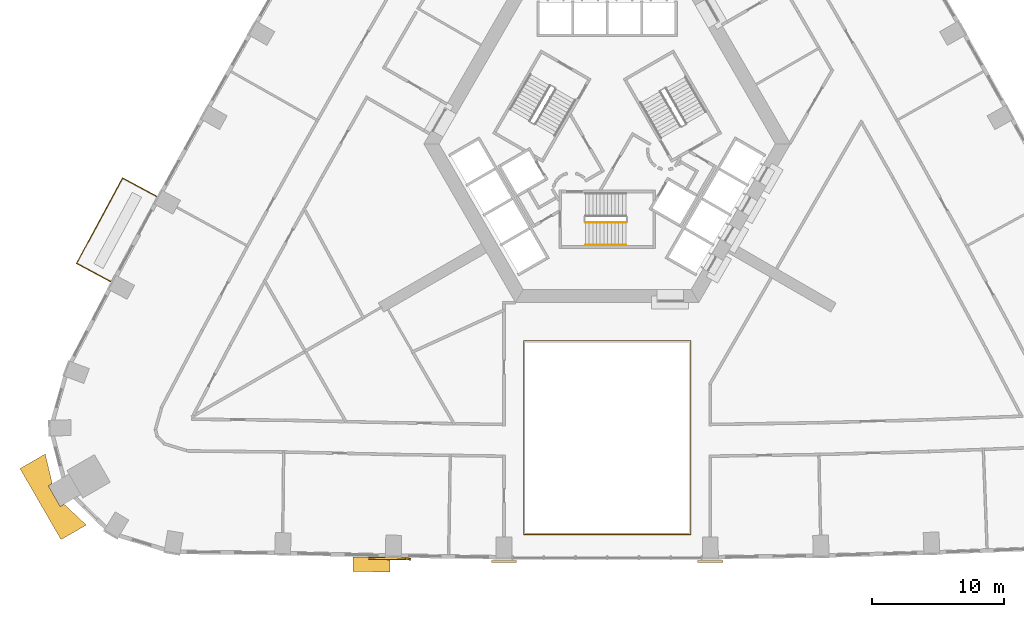
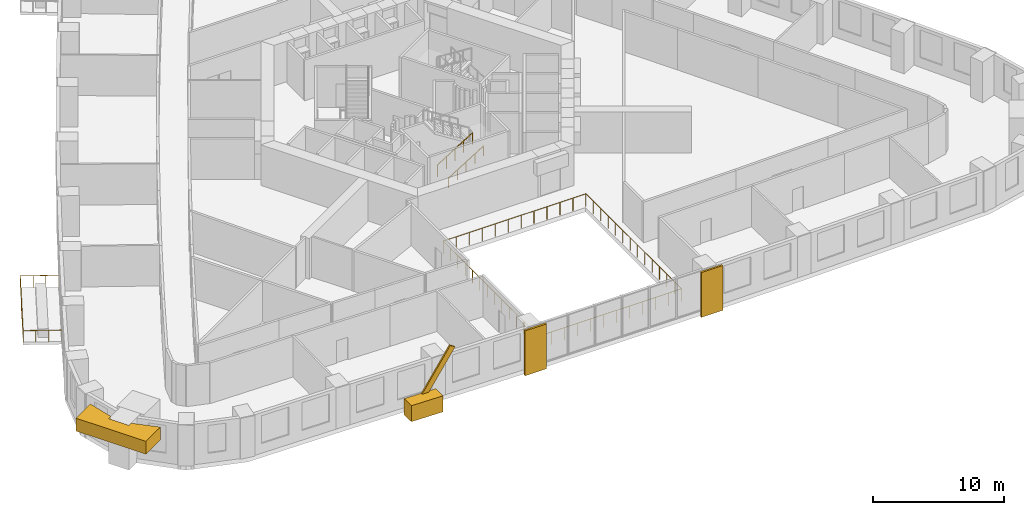
# One storey, part 13 of 15: 4 coverings, 4 railings, 1 shading device.
"""IFC4 building model written with IfcOpenShell, lengths in metres."""

from ifc_helpers import new_model, si_unit, direction, frame, origin, origin_2d, place, context, subcontext, project, spatial, polyline, rectangle, circle, outline, extrude, material, material_profile, profile_set, type_object, element, save


model = new_model("IFC4")

# Units and contexts
model_context = context("Model", 3, precision=1e-05, world=origin(), true_north=direction((0.0, 1.0)))
body_context = subcontext(model_context, "Body", "Model", "MODEL_VIEW")
ifc_project = project(units=[si_unit("LENGTHUNIT", "METRE"), si_unit("AREAUNIT", "SQUARE_METRE"), si_unit("VOLUMEUNIT", "CUBIC_METRE"), si_unit("PLANEANGLEUNIT", "RADIAN"), si_unit("MASSUNIT", "GRAM", prefix="KILO")], contexts=[model_context])

# Site, building, storey
site_placement = place(None, origin())
site = spatial("IfcSite", under=ifc_project, at=site_placement, CompositionType="ELEMENT")
building_placement = place(site_placement, origin())
building = spatial("IfcBuilding", under=site, at=building_placement, Name="Entoto Arch Interchange Tower", CompositionType="ELEMENT")
storey_placement = place(building_placement, frame((0.0, 0.0, 56.0)))
storey = spatial("IfcBuildingStorey", under=building, at=storey_placement, Name="L11", CompositionType="ELEMENT", Elevation=56.0)

# Railing
ifc_material_1 = material(Name="Stainless steel 1.4301", Category="steel")
railing_type_1 = type_object("IfcRailingType", Name="ATRIUM GUARD 1200 STEEL AND GLASS", PredefinedType="GUARDRAIL", material=ifc_material_1)
railing_1_placement = place(storey_placement, frame((6.320068359375, -27.030029296875, 0.0)))
element("IfcRailing", 1, at=railing_1_placement, inside=storey, type_object=railing_type_1, Name="Atrium guard L11", PredefinedType="GUARDRAIL", context=body_context, shape_type="SweptSolid", body=[
    extrude(circle(Radius=0.02392578125, at=origin_2d()), frame((0.0, 0.0, 1.17578125), z_axis=(-1.0, 0.0, 0.0), x_axis=(0.0, -1.0, 0.0)), (0.0, 0.0, 1.0), 12.64013671875),
    extrude(circle(Radius=0.02392578125, at=origin_2d()), frame((-12.64013671875, 0.0, 1.17578125), z_axis=(0.0, 1.0, 0.0), x_axis=(-1.0, 0.0, 0.0)), (0.0, 0.0, 1.0), 14.650146484375),
    extrude(circle(Radius=0.02392578125, at=origin_2d()), frame((-12.64013671875, 14.650146484375, 1.17578125), z_axis=(1.0, 0.0, 0.0), x_axis=(0.0, 1.0, 0.0)), (0.0, 0.0, 1.0), 12.64013671875),
    extrude(circle(Radius=0.02392578125, at=origin_2d()), frame((0.0, 14.650146484375, 1.17578125), z_axis=(0.0, -1.0, 0.0), x_axis=(1.0, 0.0, 0.0)), (0.0, 0.0, 1.0), 14.650146484375),
    extrude(circle(Radius=0.02099609375, at=origin_2d()), origin(), (0.0, 0.0, 1.0), 1.15185546875),
    extrude(circle(Radius=0.02099609375, at=origin_2d()), frame((-1.149169921875, 0.0, 0.0)), (0.0, 0.0, 1.0), 1.15185546875),
    extrude(circle(Radius=0.02099609375, at=origin_2d()), frame((-2.298095703125, 0.0, 0.0)), (0.0, 0.0, 1.0), 1.15185546875),
    extrude(circle(Radius=0.02099609375, at=origin_2d()), frame((-3.447265625, 0.0, 0.0)), (0.0, 0.0, 1.0), 1.15185546875),
    extrude(circle(Radius=0.02099609375, at=origin_2d()), frame((-4.596435546875, 0.0, 0.0)), (0.0, 0.0, 1.0), 1.15185546875),
    extrude(circle(Radius=0.02099609375, at=origin_2d()), frame((-5.74560546875, 0.0, 0.0)), (0.0, 0.0, 1.0), 1.15185546875),
    extrude(circle(Radius=0.02099609375, at=origin_2d()), frame((-6.89453125, 0.0, 0.0)), (0.0, 0.0, 1.0), 1.15185546875),
    extrude(circle(Radius=0.02099609375, at=origin_2d()), frame((-8.043701171875, 0.0, 0.0)), (0.0, 0.0, 1.0), 1.15185546875),
    extrude(circle(Radius=0.02099609375, at=origin_2d()), frame((-9.19287109375, 0.0, 0.0)), (0.0, 0.0, 1.0), 1.15185546875),
    extrude(circle(Radius=0.02099609375, at=origin_2d()), frame((-10.342041015625, 0.0, 0.0)), (0.0, 0.0, 1.0), 1.15185546875),
    extrude(circle(Radius=0.02099609375, at=origin_2d()), frame((-11.490966796875, 0.0, 0.0)), (0.0, 0.0, 1.0), 1.15185546875),
    extrude(circle(Radius=0.02099609375, at=origin_2d()), frame((-12.64013671875, 0.0, 0.0)), (0.0, 0.0, 1.0), 1.15185546875),
    extrude(circle(Radius=0.02099609375, at=origin_2d()), frame((-12.64013671875, 1.126953125, 0.0)), (0.0, 0.0, 1.0), 1.15185546875),
    extrude(circle(Radius=0.02099609375, at=origin_2d()), frame((-12.64013671875, 2.25390625, 0.0)), (0.0, 0.0, 1.0), 1.15185546875),
    extrude(circle(Radius=0.02099609375, at=origin_2d()), frame((-12.64013671875, 3.380859375, 0.0)), (0.0, 0.0, 1.0), 1.15185546875),
    extrude(circle(Radius=0.02099609375, at=origin_2d()), frame((-12.64013671875, 4.5078125, 0.0)), (0.0, 0.0, 1.0), 1.15185546875),
    extrude(circle(Radius=0.02099609375, at=origin_2d()), frame((-12.64013671875, 5.634765625, 0.0)), (0.0, 0.0, 1.0), 1.15185546875),
    extrude(circle(Radius=0.02099609375, at=origin_2d()), frame((-12.64013671875, 6.76171875, 0.0)), (0.0, 0.0, 1.0), 1.15185546875),
    extrude(circle(Radius=0.02099609375, at=origin_2d()), frame((-12.64013671875, 7.888427734375, 0.0)), (0.0, 0.0, 1.0), 1.15185546875),
    extrude(circle(Radius=0.02099609375, at=origin_2d()), frame((-12.64013671875, 9.015380859375, 0.0)), (0.0, 0.0, 1.0), 1.15185546875),
    extrude(circle(Radius=0.02099609375, at=origin_2d()), frame((-12.64013671875, 10.142333984375, 0.0)), (0.0, 0.0, 1.0), 1.15185546875),
    extrude(circle(Radius=0.02099609375, at=origin_2d()), frame((-12.64013671875, 11.269287109375, 0.0)), (0.0, 0.0, 1.0), 1.15185546875),
    extrude(circle(Radius=0.02099609375, at=origin_2d()), frame((-12.64013671875, 12.396240234375, 0.0)), (0.0, 0.0, 1.0), 1.15185546875),
    extrude(circle(Radius=0.02099609375, at=origin_2d()), frame((-12.64013671875, 13.523193359375, 0.0)), (0.0, 0.0, 1.0), 1.15185546875),
    extrude(circle(Radius=0.02099609375, at=origin_2d()), frame((-12.64013671875, 14.650146484375, 0.0)), (0.0, 0.0, 1.0), 1.15185546875),
    extrude(circle(Radius=0.02099609375, at=origin_2d()), frame((-11.490966796875, 14.650146484375, 0.0)), (0.0, 0.0, 1.0), 1.15185546875),
    extrude(circle(Radius=0.02099609375, at=origin_2d()), frame((-10.342041015625, 14.650146484375, 0.0)), (0.0, 0.0, 1.0), 1.15185546875),
    extrude(circle(Radius=0.02099609375, at=origin_2d()), frame((-9.19287109375, 14.650146484375, 0.0)), (0.0, 0.0, 1.0), 1.15185546875),
    extrude(circle(Radius=0.02099609375, at=origin_2d()), frame((-8.043701171875, 14.650146484375, 0.0)), (0.0, 0.0, 1.0), 1.15185546875),
    extrude(circle(Radius=0.02099609375, at=origin_2d()), frame((-6.89453125, 14.650146484375, 0.0)), (0.0, 0.0, 1.0), 1.15185546875),
    extrude(circle(Radius=0.02099609375, at=origin_2d()), frame((-5.74560546875, 14.650146484375, 0.0)), (0.0, 0.0, 1.0), 1.15185546875),
    extrude(circle(Radius=0.02099609375, at=origin_2d()), frame((-4.596435546875, 14.650146484375, 0.0)), (0.0, 0.0, 1.0), 1.15185546875),
    extrude(circle(Radius=0.02099609375, at=origin_2d()), frame((-3.447265625, 14.650146484375, 0.0)), (0.0, 0.0, 1.0), 1.15185546875),
    extrude(circle(Radius=0.02099609375, at=origin_2d()), frame((-2.298095703125, 14.650146484375, 0.0)), (0.0, 0.0, 1.0), 1.15185546875),
    extrude(circle(Radius=0.02099609375, at=origin_2d()), frame((-1.149169921875, 14.650146484375, 0.0)), (0.0, 0.0, 1.0), 1.15185546875),
    extrude(circle(Radius=0.02099609375, at=origin_2d()), frame((0.0, 14.650146484375, 0.0)), (0.0, 0.0, 1.0), 1.15185546875),
    extrude(circle(Radius=0.02099609375, at=origin_2d()), frame((0.0, 13.523193359375, 0.0)), (0.0, 0.0, 1.0), 1.15185546875),
    extrude(circle(Radius=0.02099609375, at=origin_2d()), frame((0.0, 12.396240234375, 0.0)), (0.0, 0.0, 1.0), 1.15185546875),
    extrude(circle(Radius=0.02099609375, at=origin_2d()), frame((0.0, 11.269287109375, 0.0)), (0.0, 0.0, 1.0), 1.15185546875),
    extrude(circle(Radius=0.02099609375, at=origin_2d()), frame((0.0, 10.142333984375, 0.0)), (0.0, 0.0, 1.0), 1.15185546875),
    extrude(circle(Radius=0.02099609375, at=origin_2d()), frame((0.0, 9.015380859375, 0.0)), (0.0, 0.0, 1.0), 1.15185546875),
    extrude(circle(Radius=0.02099609375, at=origin_2d()), frame((0.0, 7.888427734375, 0.0)), (0.0, 0.0, 1.0), 1.15185546875),
    extrude(circle(Radius=0.02099609375, at=origin_2d()), frame((0.0, 6.76171875, 0.0)), (0.0, 0.0, 1.0), 1.15185546875),
    extrude(circle(Radius=0.02099609375, at=origin_2d()), frame((0.0, 5.634765625, 0.0)), (0.0, 0.0, 1.0), 1.15185546875),
    extrude(circle(Radius=0.02099609375, at=origin_2d()), frame((0.0, 4.5078125, 0.0)), (0.0, 0.0, 1.0), 1.15185546875),
    extrude(circle(Radius=0.02099609375, at=origin_2d()), frame((0.0, 3.380859375, 0.0)), (0.0, 0.0, 1.0), 1.15185546875),
    extrude(circle(Radius=0.02099609375, at=origin_2d()), frame((0.0, 2.25390625, 0.0)), (0.0, 0.0, 1.0), 1.15185546875),
    extrude(circle(Radius=0.02099609375, at=origin_2d()), frame((0.0, 1.126953125, 0.0)), (0.0, 0.0, 1.0), 1.15185546875),
])

# Shading device
ifc_material_2 = material(Name="Board-marked precast concrete C50/60", Category="concrete")
ifc_material_profile = material_profile(ifc_material_2, rectangle(XDim=0.14990234375, YDim=0.5, at=origin_2d()))
ifc_profile_set = profile_set([ifc_material_profile], Name="Board-marked precast concrete C50/60")
shading_device_type = type_object("IfcShadingDeviceType", Name="FOLD BAND PRECAST 150x500", PredefinedType="USERDEFINED", material=ifc_profile_set)
shading_device_placement = place(storey_placement, frame((-17.81103515625, -28.81494140625, 0.25), z_axis=(0.550665867228, -0.01232327139, 0.834634794178), x_axis=(0.022373252917, 0.999749687449, 0.0)))
element("IfcShadingDevice", 2, at=shading_device_placement, inside=storey, type_object=shading_device_type, Name="Fold band L11", ObjectType="FOLD BAND", PredefinedType="USERDEFINED", context=body_context, shape_type="SweptSolid", body=[
    extrude(rectangle(XDim=0.14990234375, YDim=0.5, at=origin_2d()), origin(), (0.0, 0.0, 1.0), 5.031982421875),
])

# Railing
railing_type_2 = type_object("IfcRailingType", Name="GUARD 1100 STEEL AND GLASS", PredefinedType="GUARDRAIL", material=ifc_material_1)
railing_2_placement = place(storey_placement, frame((-34.028076171875, -1.48291015625, 0.0)))
element("IfcRailing", 3, at=railing_2_placement, inside=storey, type_object=railing_type_2, Name="Balcony guard NW-08 L11", PredefinedType="GUARDRAIL", context=body_context, shape_type="SweptSolid", body=[
    extrude(circle(Radius=0.02392578125, at=origin_2d()), frame((0.0, 0.0, 1.076171875), z_axis=(-0.880250454816, 0.474509364287, 0.0), x_axis=(-0.474509364287, -0.880250454816, 0.0)), (0.0, 0.0, 1.0), 2.9501953125),
    extrude(circle(Radius=0.02392578125, at=origin_2d()), frame((-2.596923828125, 1.39990234375, 1.076171875), z_axis=(-0.47465055528, -0.880174329535, 0.0), x_axis=(0.880174329535, -0.47465055528, 0.0)), (0.0, 0.0, 1.0), 7.3212890625),
    extrude(circle(Radius=0.02392578125, at=origin_2d()), frame((-6.072021484375, -5.044189453125, 1.076171875), z_axis=(0.880269085518, -0.474474801313, 0.0), x_axis=(0.474474801313, 0.880269085518, 0.0)), (0.0, 0.0, 1.0), 2.950439453125),
    extrude(circle(Radius=0.02099609375, at=origin_2d()), origin(), (0.0, 0.0, 1.0), 1.052001953125),
    extrude(circle(Radius=0.02099609375, at=origin_2d()), frame((-0.86572265625, 0.466552734375, 0.0)), (0.0, 0.0, 1.0), 1.052001953125),
    extrude(circle(Radius=0.02099609375, at=origin_2d()), frame((-1.731201171875, 0.933349609375, 0.0)), (0.0, 0.0, 1.0), 1.052001953125),
    extrude(circle(Radius=0.02099609375, at=origin_2d()), frame((-2.596923828125, 1.39990234375, 0.0)), (0.0, 0.0, 1.0), 1.052001953125),
    extrude(circle(Radius=0.02099609375, at=origin_2d()), frame((-3.09326171875, 0.479248046875, 0.0)), (0.0, 0.0, 1.0), 1.052001953125),
    extrude(circle(Radius=0.02099609375, at=origin_2d()), frame((-3.58984375, -0.441162109375, 0.0)), (0.0, 0.0, 1.0), 1.052001953125),
    extrude(circle(Radius=0.02099609375, at=origin_2d()), frame((-4.086181640625, -1.36181640625, 0.0)), (0.0, 0.0, 1.0), 1.052001953125),
    extrude(circle(Radius=0.02099609375, at=origin_2d()), frame((-4.582763671875, -2.282470703125, 0.0)), (0.0, 0.0, 1.0), 1.052001953125),
    extrude(circle(Radius=0.02099609375, at=origin_2d()), frame((-5.0791015625, -3.203125, 0.0)), (0.0, 0.0, 1.0), 1.052001953125),
    extrude(circle(Radius=0.02099609375, at=origin_2d()), frame((-5.57568359375, -4.12353515625, 0.0)), (0.0, 0.0, 1.0), 1.052001953125),
    extrude(circle(Radius=0.02099609375, at=origin_2d()), frame((-6.072021484375, -5.044189453125, 0.0)), (0.0, 0.0, 1.0), 1.052001953125),
    extrude(circle(Radius=0.02099609375, at=origin_2d()), frame((-5.206298828125, -5.5107421875, 0.0)), (0.0, 0.0, 1.0), 1.052001953125),
    extrude(circle(Radius=0.02099609375, at=origin_2d()), frame((-4.340576171875, -5.9775390625, 0.0)), (0.0, 0.0, 1.0), 1.052001953125),
    extrude(circle(Radius=0.02099609375, at=origin_2d()), frame((-3.474853515625, -6.444091796875, 0.0)), (0.0, 0.0, 1.0), 1.052001953125),
])

# Coverings
covering_type = type_object("IfcCoveringType", Name="PRECAST FRAME COURSE", PredefinedType="CLADDING", material=ifc_material_2)
covering_1_placement = place(storey_placement, frame((0.0, 0.0, 2.60009765625)))
element("IfcCovering", 4, at=covering_1_placement, inside=storey, type_object=covering_type, Name="Corner pilaster head SW L09-L11", PredefinedType="CLADDING", context=body_context, shape_type="SweptSolid", body=[
    extrude(outline(polyline([(-41.281982421875, -27.4140625), (-44.382080078125, -22.0439453125), (-42.47412109375, -20.943115234375), (-41.944091796875, -23.177001953125), (-42.241943359375, -23.35009765625), (-41.342041015625, -24.907958984375), (-41.0439453125, -24.736083984375), (-39.3740234375, -26.31201171875), (-41.281982421875, -27.4140625)])), origin(), (0.0, 0.0, 1.0), 1.199951171875),
])
covering_2_placement = place(storey_placement, frame((0.0, 0.0, -0.39990234375)))
element("IfcCovering", 5, at=covering_2_placement, inside=storey, type_object=covering_type, Name="Gate pier L11", PredefinedType="CLADDING", context=body_context, shape_type="SweptSolid", body=[
    extrude(outline(polyline([(-8.742919921875, -29.0009765625), (-6.843017578125, -29.0009765625), (-6.843017578125, -29.159912109375), (-8.742919921875, -29.159912109375), (-8.742919921875, -29.0009765625)])), origin(), (0.0, 0.0, 1.0), 4.199951171875),
])
covering_3_placement = place(storey_placement, frame((0.0, 0.0, -0.39990234375)))
element("IfcCovering", 6, at=covering_3_placement, inside=storey, type_object=covering_type, Name="Gate pier L11", PredefinedType="CLADDING", context=body_context, shape_type="SweptSolid", body=[
    extrude(outline(polyline([(6.843017578125, -29.0009765625), (8.742919921875, -29.0009765625), (8.742919921875, -29.159912109375), (6.843017578125, -29.159912109375), (6.843017578125, -29.0009765625)])), origin(), (0.0, 0.0, 1.0), 4.199951171875),
])
covering_4_placement = place(storey_placement, frame((0.0, 0.0, -0.64990234375)))
element("IfcCovering", 7, at=covering_4_placement, inside=storey, type_object=covering_type, Name="Fold crease ribbon L11", PredefinedType="CLADDING", context=body_context, shape_type="SweptSolid", body=[
    extrude(outline(polyline([(-16.7939453125, -29.863037109375), (-19.194091796875, -29.80908203125), (-19.194091796875, -28.708984375), (-16.77001953125, -28.763916015625), (-16.77001953125, -28.763916015625), (-16.423095703125, -28.77099609375), (-16.423095703125, -29.8720703125), (-16.7939453125, -29.863037109375)])), origin(), (0.0, 0.0, 1.0), 1.5),
])

# Railings
railing_type_3 = type_object("IfcRailingType", Name="STAIR GUARD 1100 STEEL", PredefinedType="GUARDRAIL", material=ifc_material_1)
railing_3_placement = place(storey_placement, frame((-1.64990234375, -3.449951171875, 0.175048828125)))
element("IfcRailing", 8, at=railing_3_placement, inside=storey, type_object=railing_type_3, Name="L11 ST-S stair guard 1", PredefinedType="GUARDRAIL", context=body_context, shape_type="SweptSolid", body=[
    extrude(circle(Radius=0.02392578125, at=origin_2d()), frame((0.0, 0.0, 1.076171875), z_axis=(0.847979421464, 0.0, 0.530029150871), x_axis=(0.0, 1.0, 0.0)), (0.0, 0.0, 1.0), 3.632080078125),
    extrude(circle(Radius=0.02099609375, at=origin_2d()), origin(), (0.0, 0.0, 1.0), 1.052001953125),
    extrude(circle(Radius=0.02099609375, at=origin_2d()), frame((0.77001953125, 0.0, 0.481201171875)), (0.0, 0.0, 1.0), 1.052001953125),
    extrude(circle(Radius=0.02099609375, at=origin_2d()), frame((1.5400390625, 0.0, 0.96240234375)), (0.0, 0.0, 1.0), 1.052001953125),
    extrude(circle(Radius=0.02099609375, at=origin_2d()), frame((2.309814453125, 0.0, 1.44384765625)), (0.0, 0.0, 1.0), 1.052001953125),
    extrude(circle(Radius=0.02099609375, at=origin_2d()), frame((3.079833984375, 0.0, 1.925048828125)), (0.0, 0.0, 1.0), 1.052001953125),
])
railing_type_4 = type_object("IfcRailingType", Name="STAIR HANDRAIL 900 STEEL", PredefinedType="HANDRAIL", material=ifc_material_1)
railing_4_placement = place(storey_placement, frame((-1.64990234375, -5.14990234375, 0.175048828125)))
element("IfcRailing", 9, at=railing_4_placement, inside=storey, type_object=railing_type_4, Name="L11 ST-S stair handrail 1", PredefinedType="HANDRAIL", context=body_context, shape_type="SweptSolid", body=[
    extrude(circle(Radius=0.02392578125, at=origin_2d()), frame((0.0, 0.0, 0.8759765625), z_axis=(0.847979421464, 0.0, 0.530029150871), x_axis=(0.0, 1.0, 0.0)), (0.0, 0.0, 1.0), 3.632080078125),
    extrude(circle(Radius=0.02099609375, at=origin_2d()), origin(), (0.0, 0.0, 1.0), 0.851806640625),
    extrude(circle(Radius=0.02099609375, at=origin_2d()), frame((0.77001953125, 0.0, 0.481201171875)), (0.0, 0.0, 1.0), 0.851806640625),
    extrude(circle(Radius=0.02099609375, at=origin_2d()), frame((1.5400390625, 0.0, 0.96240234375)), (0.0, 0.0, 1.0), 0.851806640625),
    extrude(circle(Radius=0.02099609375, at=origin_2d()), frame((2.309814453125, 0.0, 1.44384765625)), (0.0, 0.0, 1.0), 0.851806640625),
    extrude(circle(Radius=0.02099609375, at=origin_2d()), frame((3.079833984375, 0.0, 1.925048828125)), (0.0, 0.0, 1.0), 0.851806640625),
])

save(model, "model.ifc")
